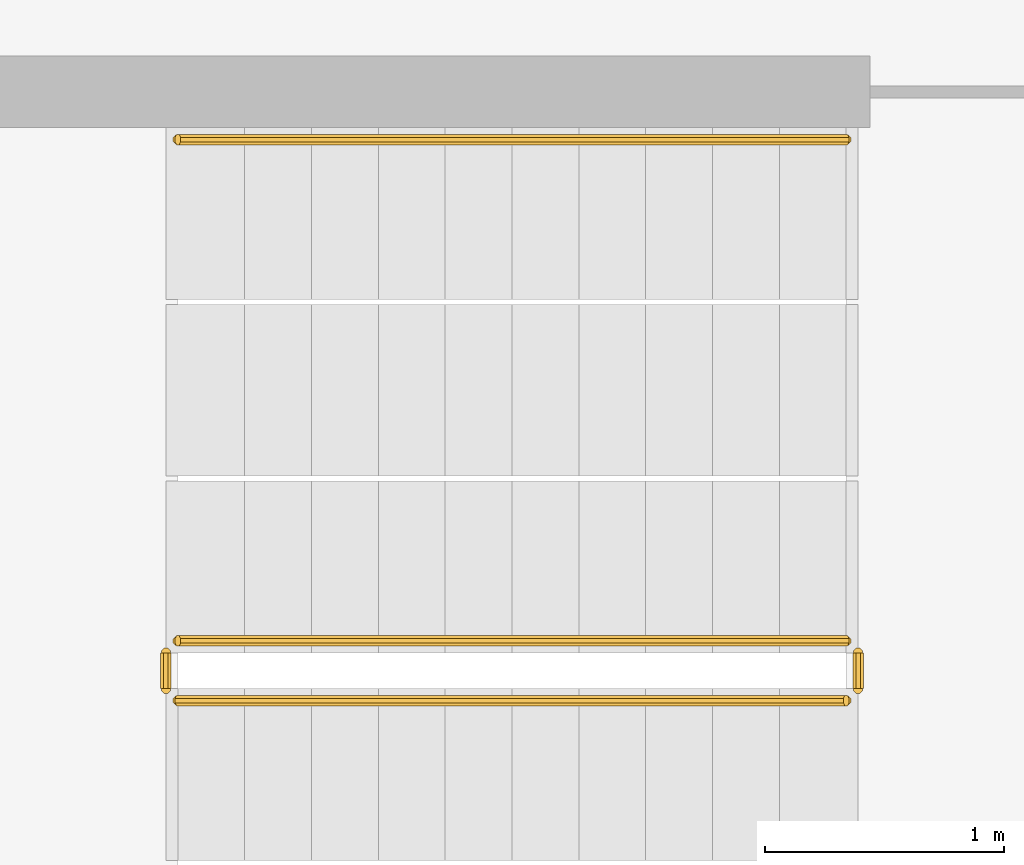
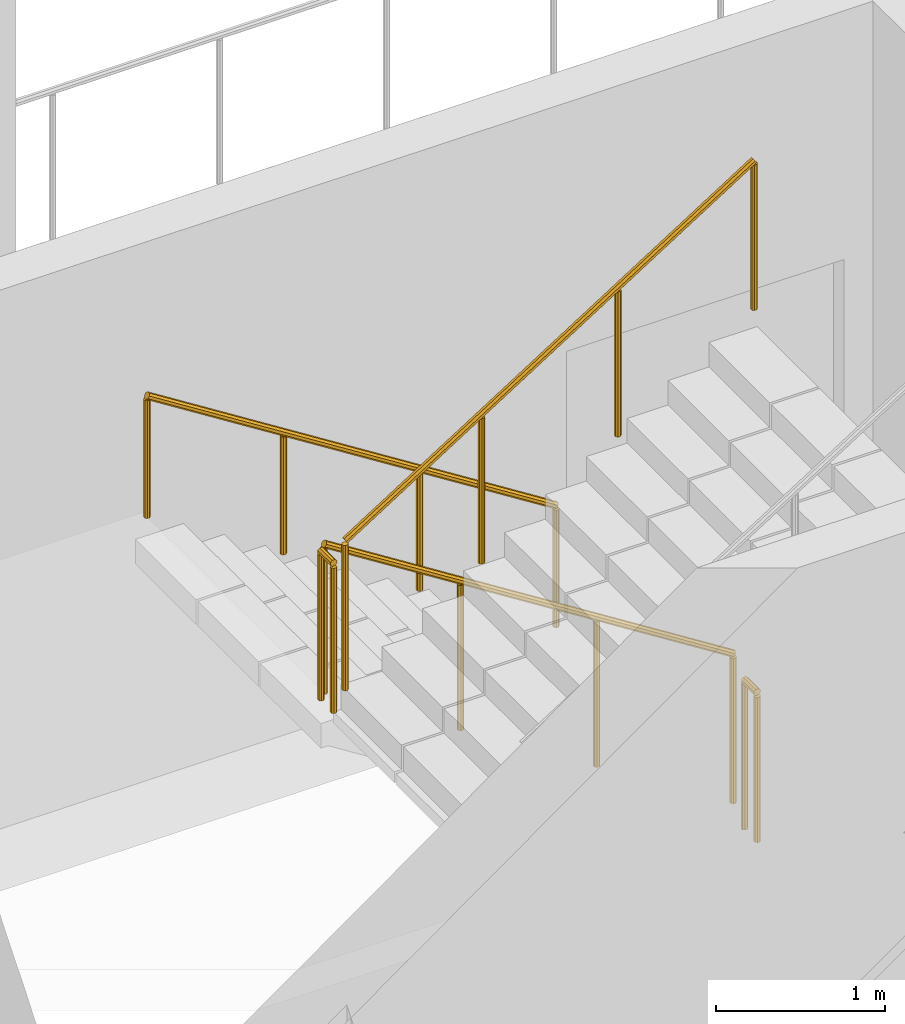
# One storey, part 22 of 30: 5 railings.
"""IFC4 building model written with IfcOpenShell, lengths in metres."""

from ifc_helpers import new_model, si_unit, direction, frame, origin, place, context, subcontext, project, spatial, polyline, outline, extrude, material, type_object, element, save


model = new_model("IFC4")

# Units and contexts
model_context = context("Model", 3, precision=1e-05, world=origin(), true_north=direction((0.0, 1.0)))
body_context = subcontext(model_context, "Body", "Model", "MODEL_VIEW")
ifc_project = project(units=[si_unit("LENGTHUNIT", "METRE"), si_unit("AREAUNIT", "SQUARE_METRE"), si_unit("VOLUMEUNIT", "CUBIC_METRE"), si_unit("PLANEANGLEUNIT", "RADIAN"), si_unit("MASSUNIT", "GRAM", prefix="KILO")], contexts=[model_context])

# Site, building, storey
site_placement = place(None, origin())
site = spatial("IfcSite", under=ifc_project, at=site_placement, CompositionType="ELEMENT")
building_placement = place(site_placement, origin())
building = spatial("IfcBuilding", under=site, at=building_placement, Name="Cormorant Relay Tower", CompositionType="ELEMENT")
storey_placement = place(building_placement, frame((0.0, 0.0, 258.0)))
storey = spatial("IfcBuildingStorey", under=building, at=storey_placement, Name="L57", CompositionType="ELEMENT", Elevation=258.0)

# Railings
ifc_material_1 = material(Name="Steel ASTM A572 Grade 50 (Fy 345 MPa)", Category="steel")
railing_type_1 = type_object("IfcRailingType", Name="Stair guard 1100", PredefinedType="GUARDRAIL", material=ifc_material_1)
railing_1_placement = place(storey_placement, frame((1.60009765625, -18.27490234375, 0.17724609375)))
element("IfcRailing", 1, at=railing_1_placement, inside=storey, type_object=railing_type_1, Name="L57 RK1 stair guard 1", PredefinedType="GUARDRAIL", context=body_context, shape_type="SweptSolid", body=[
    extrude(outline(polyline([(0.022216796875, 0.00927734375), (0.00927734375, 0.022216796875), (-0.00927734375, 0.022216796875), (-0.022216796875, 0.00927734375), (-0.022216796875, -0.00927734375), (-0.00927734375, -0.022216796875), (0.00927734375, -0.022216796875), (0.022216796875, -0.00927734375), (0.022216796875, 0.00927734375)])), frame((0.0, 0.0, 1.076171875), z_axis=(-0.844908973607, 0.0, 0.534910110503), x_axis=(0.0, -1.0, 0.0)), (0.0, 0.0, 1.0), 3.31396484375),
    extrude(outline(polyline([(0.019287109375, 0.008056640625), (0.008056640625, 0.019287109375), (-0.008056640625, 0.019287109375), (-0.019287109375, 0.008056640625), (-0.019287109375, -0.008056640625), (-0.008056640625, -0.019287109375), (0.008056640625, -0.019287109375), (0.019287109375, -0.008056640625), (0.019287109375, 0.008056640625)])), origin(), (0.0, 0.0, 1.0), 1.052001953125),
    extrude(outline(polyline([(0.019287109375, 0.008056640625), (0.008056640625, 0.019287109375), (-0.008056640625, 0.019287109375), (-0.019287109375, 0.008056640625), (-0.019287109375, -0.008056640625), (-0.008056640625, -0.019287109375), (0.008056640625, -0.019287109375), (0.019287109375, -0.008056640625), (0.019287109375, 0.008056640625)])), frame((-0.933349609375, 0.0, 0.5908203125)), (0.0, 0.0, 1.0), 1.052001953125),
    extrude(outline(polyline([(0.019287109375, 0.008056640625), (0.008056640625, 0.019287109375), (-0.008056640625, 0.019287109375), (-0.019287109375, 0.008056640625), (-0.019287109375, -0.008056640625), (-0.008056640625, -0.019287109375), (0.008056640625, -0.019287109375), (0.019287109375, -0.008056640625), (0.019287109375, 0.008056640625)])), frame((-1.86669921875, 0.0, 1.181884765625)), (0.0, 0.0, 1.0), 1.052001953125),
    extrude(outline(polyline([(0.019287109375, 0.008056640625), (0.008056640625, 0.019287109375), (-0.008056640625, 0.019287109375), (-0.019287109375, 0.008056640625), (-0.019287109375, -0.008056640625), (-0.008056640625, -0.019287109375), (0.008056640625, -0.019287109375), (0.019287109375, -0.008056640625), (0.019287109375, 0.008056640625)])), frame((-2.800048828125, 0.0, 1.772705078125)), (0.0, 0.0, 1.0), 1.052001953125),
])
railing_2_placement = place(storey_placement, frame((-1.25, -18.324951171875, 1.949951171875)))
element("IfcRailing", 2, at=railing_2_placement, inside=storey, type_object=railing_type_1, Name="L57 RK1 stair guard 2", PredefinedType="GUARDRAIL", context=body_context, shape_type="SweptSolid", body=[
    extrude(outline(polyline([(0.022216796875, 0.00927734375), (0.00927734375, 0.022216796875), (-0.00927734375, 0.022216796875), (-0.022216796875, 0.00927734375), (-0.022216796875, -0.00927734375), (-0.00927734375, -0.022216796875), (0.00927734375, -0.022216796875), (0.022216796875, -0.00927734375), (0.022216796875, 0.00927734375)])), frame((0.0, 0.0, 1.076171875), z_axis=(0.0, -1.0, 0.0), x_axis=(1.0, 0.0, 0.0)), (0.0, 0.0, 1.0), 0.150146484375),
    extrude(outline(polyline([(0.019287109375, 0.008056640625), (0.008056640625, 0.019287109375), (-0.008056640625, 0.019287109375), (-0.019287109375, 0.008056640625), (-0.019287109375, -0.008056640625), (-0.008056640625, -0.019287109375), (0.008056640625, -0.019287109375), (0.019287109375, -0.008056640625), (0.019287109375, 0.008056640625)])), origin(), (0.0, 0.0, 1.0), 1.052001953125),
    extrude(outline(polyline([(0.019287109375, 0.008056640625), (0.008056640625, 0.019287109375), (-0.008056640625, 0.019287109375), (-0.019287109375, 0.008056640625), (-0.019287109375, -0.008056640625), (-0.008056640625, -0.019287109375), (0.008056640625, -0.019287109375), (0.019287109375, -0.008056640625), (0.019287109375, 0.008056640625)])), frame((0.0, -0.150146484375, 0.0)), (0.0, 0.0, 1.0), 1.052001953125),
])
railing_3_placement = place(storey_placement, frame((-1.199951171875, -18.52490234375, 2.127197265625)))
element("IfcRailing", 3, at=railing_3_placement, inside=storey, type_object=railing_type_1, Name="L57 RK1 stair guard 3", PredefinedType="GUARDRAIL", context=body_context, shape_type="SweptSolid", body=[
    extrude(outline(polyline([(0.022216796875, 0.00927734375), (0.00927734375, 0.022216796875), (-0.00927734375, 0.022216796875), (-0.022216796875, 0.00927734375), (-0.022216796875, -0.00927734375), (-0.00927734375, -0.022216796875), (0.00927734375, -0.022216796875), (0.022216796875, -0.00927734375), (0.022216796875, 0.00927734375)])), frame((0.0, 0.0, 1.076171875), z_axis=(0.844908973607, 0.0, 0.534910110503), x_axis=(0.0, 1.0, 0.0)), (0.0, 0.0, 1.0), 3.31396484375),
    extrude(outline(polyline([(0.019287109375, 0.008056640625), (0.008056640625, 0.019287109375), (-0.008056640625, 0.019287109375), (-0.019287109375, 0.008056640625), (-0.019287109375, -0.008056640625), (-0.008056640625, -0.019287109375), (0.008056640625, -0.019287109375), (0.019287109375, -0.008056640625), (0.019287109375, 0.008056640625)])), origin(), (0.0, 0.0, 1.0), 1.052001953125),
    extrude(outline(polyline([(0.019287109375, 0.008056640625), (0.008056640625, 0.019287109375), (-0.008056640625, 0.019287109375), (-0.019287109375, 0.008056640625), (-0.019287109375, -0.008056640625), (-0.008056640625, -0.019287109375), (0.008056640625, -0.019287109375), (0.019287109375, -0.008056640625), (0.019287109375, 0.008056640625)])), frame((0.933349609375, 0.0, 0.5908203125)), (0.0, 0.0, 1.0), 1.052001953125),
    extrude(outline(polyline([(0.019287109375, 0.008056640625), (0.008056640625, 0.019287109375), (-0.008056640625, 0.019287109375), (-0.019287109375, 0.008056640625), (-0.019287109375, -0.008056640625), (-0.008056640625, -0.019287109375), (0.008056640625, -0.019287109375), (0.019287109375, -0.008056640625), (0.019287109375, 0.008056640625)])), frame((1.86669921875, 0.0, 1.181884765625)), (0.0, 0.0, 1.0), 1.052001953125),
    extrude(outline(polyline([(0.019287109375, 0.008056640625), (0.008056640625, 0.019287109375), (-0.008056640625, 0.019287109375), (-0.019287109375, 0.008056640625), (-0.019287109375, -0.008056640625), (-0.008056640625, -0.019287109375), (0.008056640625, -0.019287109375), (0.019287109375, -0.008056640625), (0.019287109375, 0.008056640625)])), frame((2.800048828125, 0.0, 1.772705078125)), (0.0, 0.0, 1.0), 1.052001953125),
])
railing_4_placement = place(storey_placement, frame((1.64990234375, -18.324951171875, 0.0)))
element("IfcRailing", 4, at=railing_4_placement, inside=storey, type_object=railing_type_1, Name="L57 RK1 stair guard 4", PredefinedType="GUARDRAIL", context=body_context, shape_type="SweptSolid", body=[
    extrude(outline(polyline([(0.022216796875, 0.00927734375), (0.00927734375, 0.022216796875), (-0.00927734375, 0.022216796875), (-0.022216796875, 0.00927734375), (-0.022216796875, -0.00927734375), (-0.00927734375, -0.022216796875), (0.00927734375, -0.022216796875), (0.022216796875, -0.00927734375), (0.022216796875, 0.00927734375)])), frame((0.0, 0.0, 1.076171875), z_axis=(0.0, -1.0, 0.0), x_axis=(1.0, 0.0, 0.0)), (0.0, 0.0, 1.0), 0.150146484375),
    extrude(outline(polyline([(0.019287109375, 0.008056640625), (0.008056640625, 0.019287109375), (-0.008056640625, 0.019287109375), (-0.019287109375, 0.008056640625), (-0.019287109375, -0.008056640625), (-0.008056640625, -0.019287109375), (0.008056640625, -0.019287109375), (0.019287109375, -0.008056640625), (0.019287109375, 0.008056640625)])), origin(), (0.0, 0.0, 1.0), 1.052001953125),
    extrude(outline(polyline([(0.019287109375, 0.008056640625), (0.008056640625, 0.019287109375), (-0.008056640625, 0.019287109375), (-0.019287109375, 0.008056640625), (-0.019287109375, -0.008056640625), (-0.008056640625, -0.019287109375), (0.008056640625, -0.019287109375), (0.019287109375, -0.008056640625), (0.019287109375, 0.008056640625)])), frame((0.0, -0.150146484375, 0.0)), (0.0, 0.0, 1.0), 1.052001953125),
])
ifc_material_2 = material(Name="Steel ASTM A572 Grade 50 (Fy 345 MPa)", Category="steel")
railing_type_2 = type_object("IfcRailingType", Name="Stair handrail 900", PredefinedType="HANDRAIL", material=ifc_material_2)
railing_5_placement = place(storey_placement, frame((1.60009765625, -16.175048828125, 0.17724609375)))
element("IfcRailing", 5, at=railing_5_placement, inside=storey, type_object=railing_type_2, Name="L57 RK1 stair handrail 1", PredefinedType="HANDRAIL", context=body_context, shape_type="SweptSolid", body=[
    extrude(outline(polyline([(0.022216796875, 0.00927734375), (0.00927734375, 0.022216796875), (-0.00927734375, 0.022216796875), (-0.022216796875, 0.00927734375), (-0.022216796875, -0.00927734375), (-0.00927734375, -0.022216796875), (0.00927734375, -0.022216796875), (0.022216796875, -0.00927734375), (0.022216796875, 0.00927734375)])), frame((0.0, 0.0, 0.8759765625), z_axis=(-0.844908973607, 0.0, 0.534910110503), x_axis=(0.0, -1.0, 0.0)), (0.0, 0.0, 1.0), 3.31396484375),
    extrude(outline(polyline([(0.019287109375, 0.008056640625), (0.008056640625, 0.019287109375), (-0.008056640625, 0.019287109375), (-0.019287109375, 0.008056640625), (-0.019287109375, -0.008056640625), (-0.008056640625, -0.019287109375), (0.008056640625, -0.019287109375), (0.019287109375, -0.008056640625), (0.019287109375, 0.008056640625)])), origin(), (0.0, 0.0, 1.0), 0.851806640625),
    extrude(outline(polyline([(0.019287109375, 0.008056640625), (0.008056640625, 0.019287109375), (-0.008056640625, 0.019287109375), (-0.019287109375, 0.008056640625), (-0.019287109375, -0.008056640625), (-0.008056640625, -0.019287109375), (0.008056640625, -0.019287109375), (0.019287109375, -0.008056640625), (0.019287109375, 0.008056640625)])), frame((-0.933349609375, 0.0, 0.5908203125)), (0.0, 0.0, 1.0), 0.851806640625),
    extrude(outline(polyline([(0.019287109375, 0.008056640625), (0.008056640625, 0.019287109375), (-0.008056640625, 0.019287109375), (-0.019287109375, 0.008056640625), (-0.019287109375, -0.008056640625), (-0.008056640625, -0.019287109375), (0.008056640625, -0.019287109375), (0.019287109375, -0.008056640625), (0.019287109375, 0.008056640625)])), frame((-1.86669921875, 0.0, 1.181884765625)), (0.0, 0.0, 1.0), 0.851806640625),
    extrude(outline(polyline([(0.019287109375, 0.008056640625), (0.008056640625, 0.019287109375), (-0.008056640625, 0.019287109375), (-0.019287109375, 0.008056640625), (-0.019287109375, -0.008056640625), (-0.008056640625, -0.019287109375), (0.008056640625, -0.019287109375), (0.019287109375, -0.008056640625), (0.019287109375, 0.008056640625)])), frame((-2.800048828125, 0.0, 1.772705078125)), (0.0, 0.0, 1.0), 0.851806640625),
])

save(model, "model.ifc")
